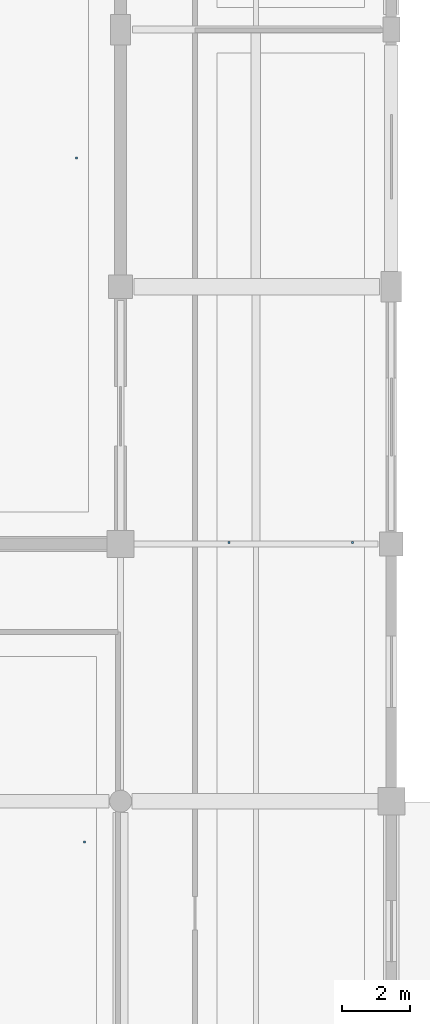
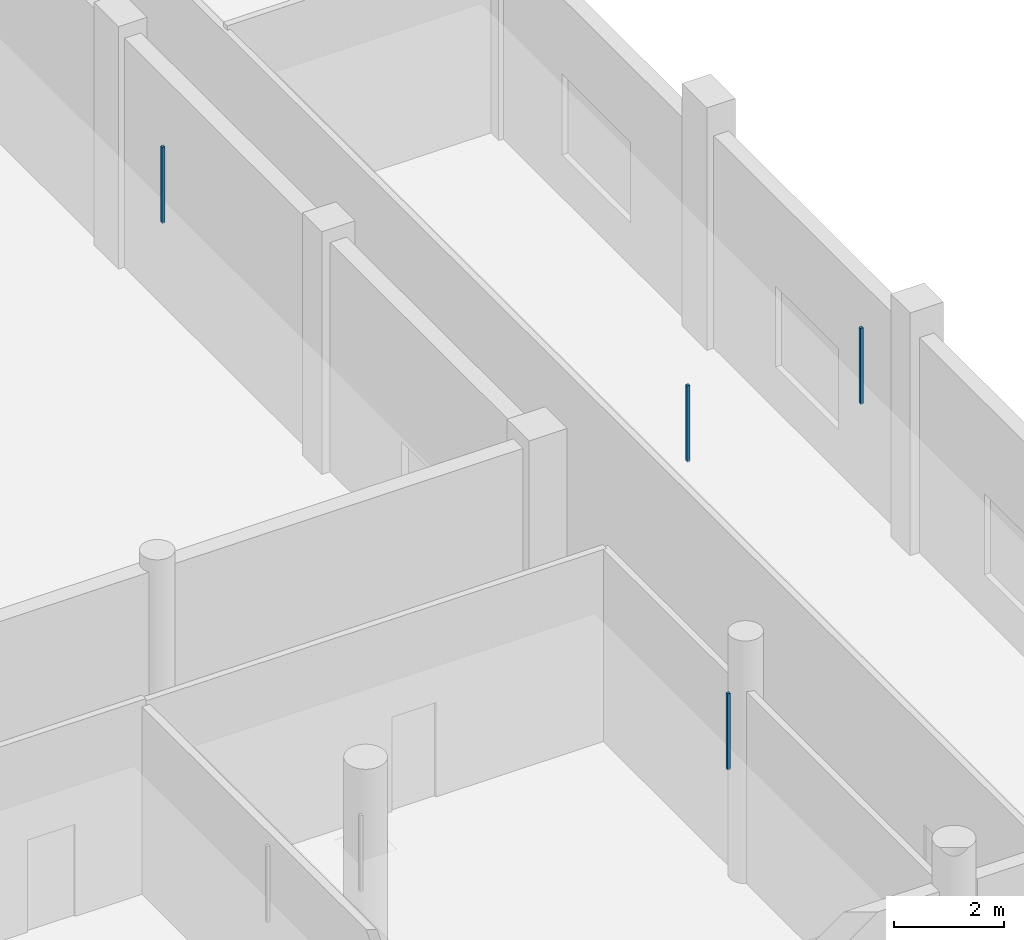
# One storey, part 87 of 126: 4 discrete accessories.
"""IFC4 building model written with IfcOpenShell, lengths in metres."""

from ifc_helpers import new_model, si_unit, direction, frame, origin, origin_2d, place, context, subcontext, project, spatial, rectangle, extrude, material, type_object, element, save


model = new_model("IFC4")

# Units and contexts
model_context = context("Model", 3, precision=1e-05, world=origin(), true_north=direction((0.0, 1.0)))
body_context = subcontext(model_context, "Body", "Model", "MODEL_VIEW")
ifc_project = project(units=[si_unit("LENGTHUNIT", "METRE"), si_unit("AREAUNIT", "SQUARE_METRE"), si_unit("VOLUMEUNIT", "CUBIC_METRE"), si_unit("PLANEANGLEUNIT", "RADIAN"), si_unit("MASSUNIT", "GRAM", prefix="KILO")], contexts=[model_context])

# Site, building, storey
site_placement = place(None, origin())
site = spatial("IfcSite", under=ifc_project, at=site_placement, CompositionType="ELEMENT")
building_placement = place(site_placement, origin())
building = spatial("IfcBuilding", under=site, at=building_placement, Name="Khelvaren Railside Concert Hall", CompositionType="ELEMENT")
storey_placement = place(building_placement, origin())
storey = spatial("IfcBuildingStorey", under=building, at=storey_placement, Name="L00", CompositionType="ELEMENT", Elevation=0.0)

# Discrete accessories
ifc_material = material(Name="Galvanised steel acoustic ceiling hanger rod", Category="steel")
discrete_accessory_type = type_object("IfcDiscreteAccessoryType", Name="BRK62", PredefinedType="BRACKET", material=ifc_material)
for number, where, z_axis, x_axis, name in (
    (1, (43.199951171875, 83.64990234375, 3.429931640625), (0.0, 0.0, 1.0), (1.0, 0.0, 0.0), "Acoustic Ceiling Suspension Bracket 101-1"),
    (2, (46.85009765625, 83.64990234375, 3.429931640625), (0.0, 0.0, 1.0), (1.0, 0.0, 0.0), "Acoustic Ceiling Suspension Bracket 101-2"),
    (3, (38.699951171875, 95.0, 3.429931640625), (0.0, 0.0, 1.0), (1.0, 0.0, 0.0), "Acoustic Ceiling Suspension Bracket 103-2"),
    (4, (38.93994140625, 74.800048828125, 3.429931640625), (0.0, 0.0, 1.0), (1.0, 0.0, 0.0), "Acoustic Ceiling Suspension Bracket 105-2"),
):
    element("IfcDiscreteAccessory", number, at=place(storey_placement, frame(where, z_axis=z_axis, x_axis=x_axis)), inside=storey, type_object=discrete_accessory_type, Name=name, PredefinedType="BRACKET", context=body_context, shape_type="SweptSolid", body=[
        extrude(rectangle(XDim=0.06005859375, YDim=0.06005859375, at=origin_2d()), origin(), (0.0, 0.0, 1.0), 1.68994140625),
    ])

save(model, "model.ifc")
